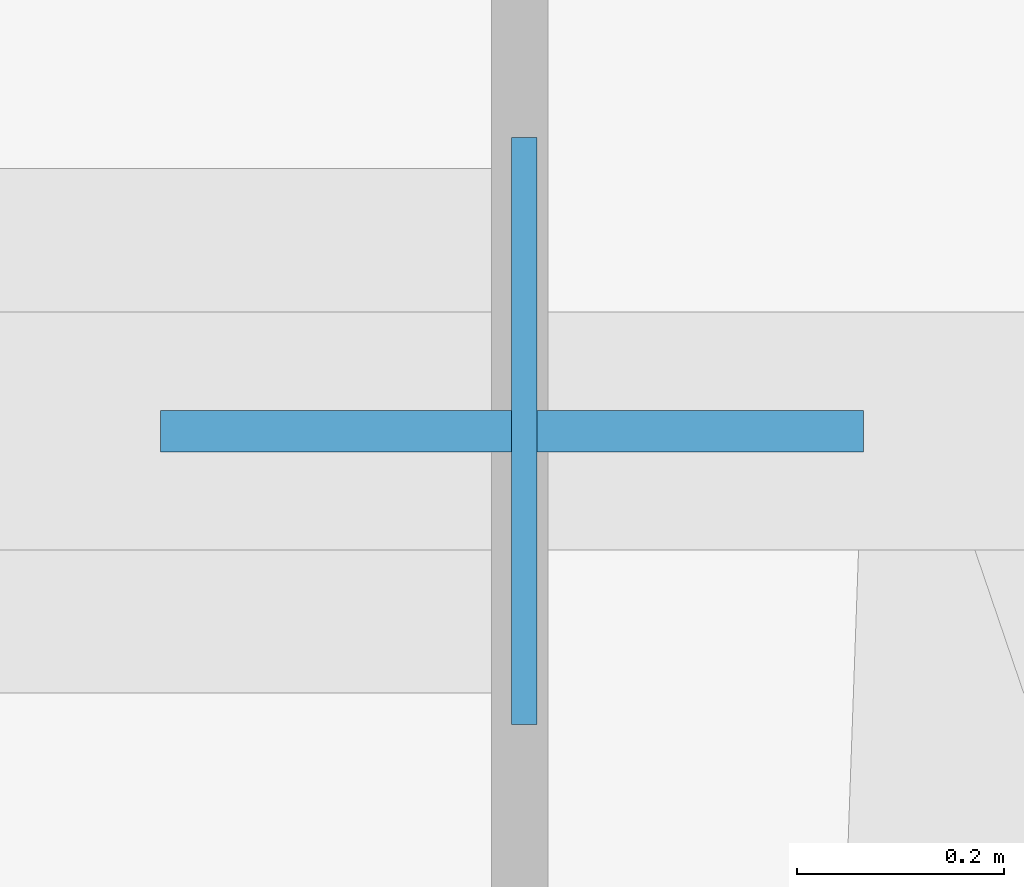
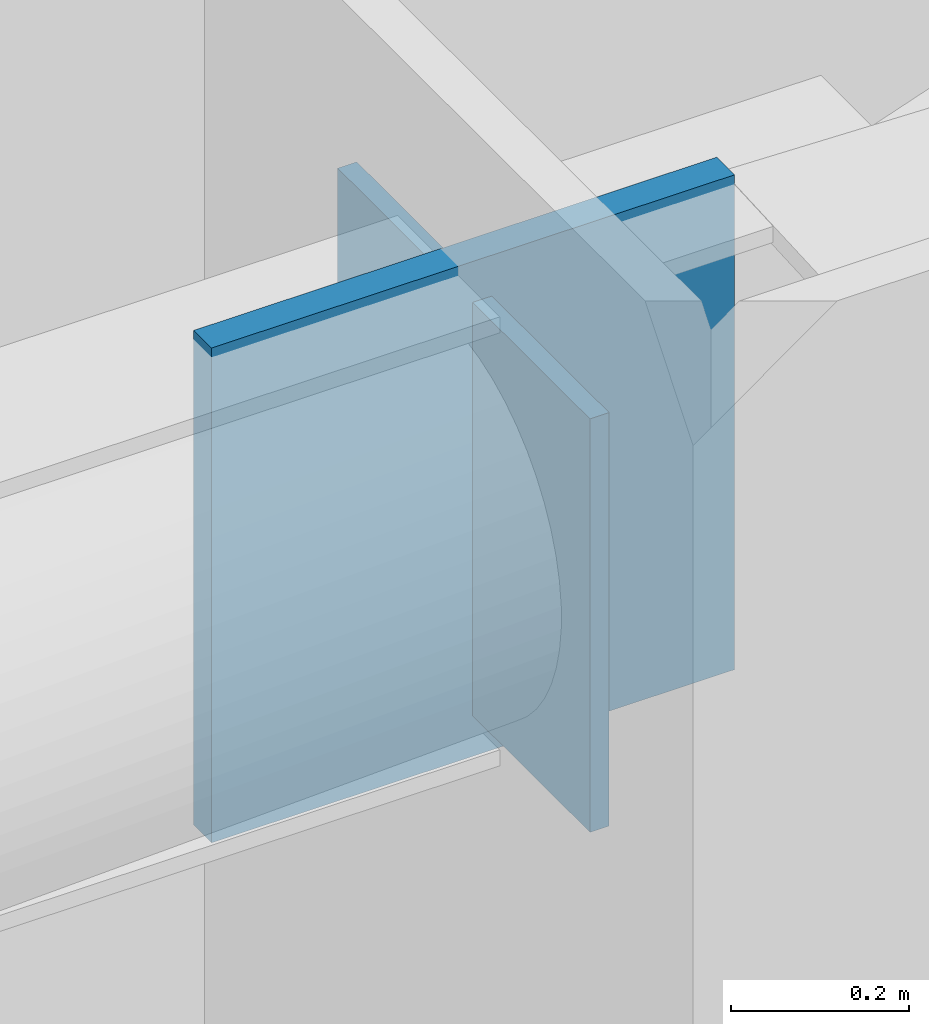
# One storey, part 6 of 17: 2 plates.
"""IFC4 building model written with IfcOpenShell, lengths in metres."""

from ifc_helpers import new_model, si_unit, direction, frame, origin, origin_2d, place, context, subcontext, project, spatial, rectangle, extrude, material, layer, layer_set, type_object, element, save


model = new_model("IFC4")

# Units and contexts
model_context = context("Model", 3, precision=1e-05, world=origin(), true_north=direction((0.0, 1.0)))
body_context = subcontext(model_context, "Body", "Model", "MODEL_VIEW")
ifc_project = project(units=[si_unit("LENGTHUNIT", "METRE"), si_unit("AREAUNIT", "SQUARE_METRE"), si_unit("VOLUMEUNIT", "CUBIC_METRE"), si_unit("PLANEANGLEUNIT", "RADIAN"), si_unit("MASSUNIT", "GRAM", prefix="KILO")], contexts=[model_context])

# Site, building, storey
site_placement = place(None, origin())
site = spatial("IfcSite", under=ifc_project, at=site_placement, CompositionType="ELEMENT")
building_placement = place(site_placement, origin())
building = spatial("IfcBuilding", under=site, at=building_placement, Name="Khamvora Tower", CompositionType="ELEMENT")
storey_placement = place(building_placement, frame((0.0, 0.0, 44.25)))
storey = spatial("IfcBuildingStorey", under=building, at=storey_placement, Name="L10", CompositionType="ELEMENT", Elevation=44.25)

# Plates
ifc_material_1 = material(Name="Steel S355", Category="steel")
ifc_layer_1 = layer(ifc_material_1, 0.02490234375)
ifc_layer_set_1 = layer_set([ifc_layer_1], Name="Steel S355")
plate_type_1 = type_object("IfcPlateType", Name="PL-CAP-25", PredefinedType="SHEET", material=ifc_layer_set_1)
plate_1_placement = place(storey_placement, frame((43.73193359375, 50.800048828125, 2.81689453125), z_axis=(0.0, 0.0, 1.0), x_axis=(1.0, 0.0, 0.0)))
element("IfcPlate", 1, at=plate_1_placement, inside=storey, type_object=plate_type_1, Name="L10 hollow section steel end cap plate 0571", PredefinedType="SHEET", context=body_context, shape_type="SweptSolid", body=[
    extrude(rectangle(XDim=0.02490234375, YDim=0.568115234375, at=origin_2d()), origin(), (0.0, 0.0, 1.0), 0.568115234375),
])
ifc_material_2 = material(Name="Steel S460", Category="steel")
ifc_layer_2 = layer(ifc_material_2, 0.0400390625)
ifc_layer_set_2 = layer_set([ifc_layer_2], Name="Steel S460")
plate_type_2 = type_object("IfcPlateType", Name="PLT-GUS-40", PredefinedType="SHEET", material=ifc_layer_set_2)
plate_2_placement = place(storey_placement, frame((43.719970703125, 50.800048828125, 2.76123046875), z_axis=(0.0, 0.0, 1.0), x_axis=(1.0, 0.0, 0.0)))
element("IfcPlate", 2, at=plate_2_placement, inside=storey, type_object=plate_type_2, Name="L10 brace connection node gusset plate 0088", PredefinedType="SHEET", context=body_context, shape_type="SweptSolid", body=[
    extrude(rectangle(XDim=0.679931640625, YDim=0.0400390625, at=origin_2d()), origin(), (0.0, 0.0, 1.0), 0.679931640625),
])

save(model, "model.ifc")
